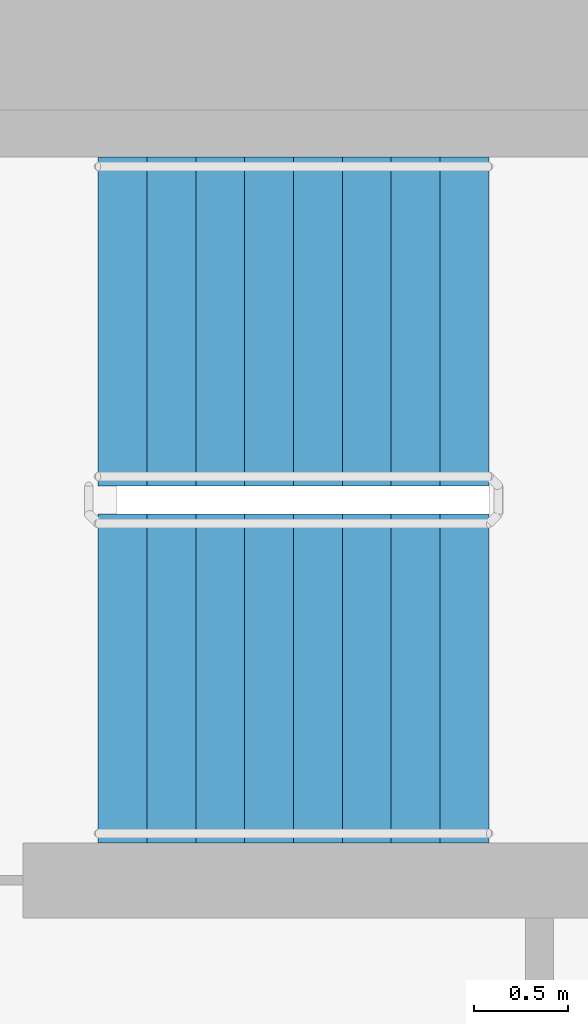
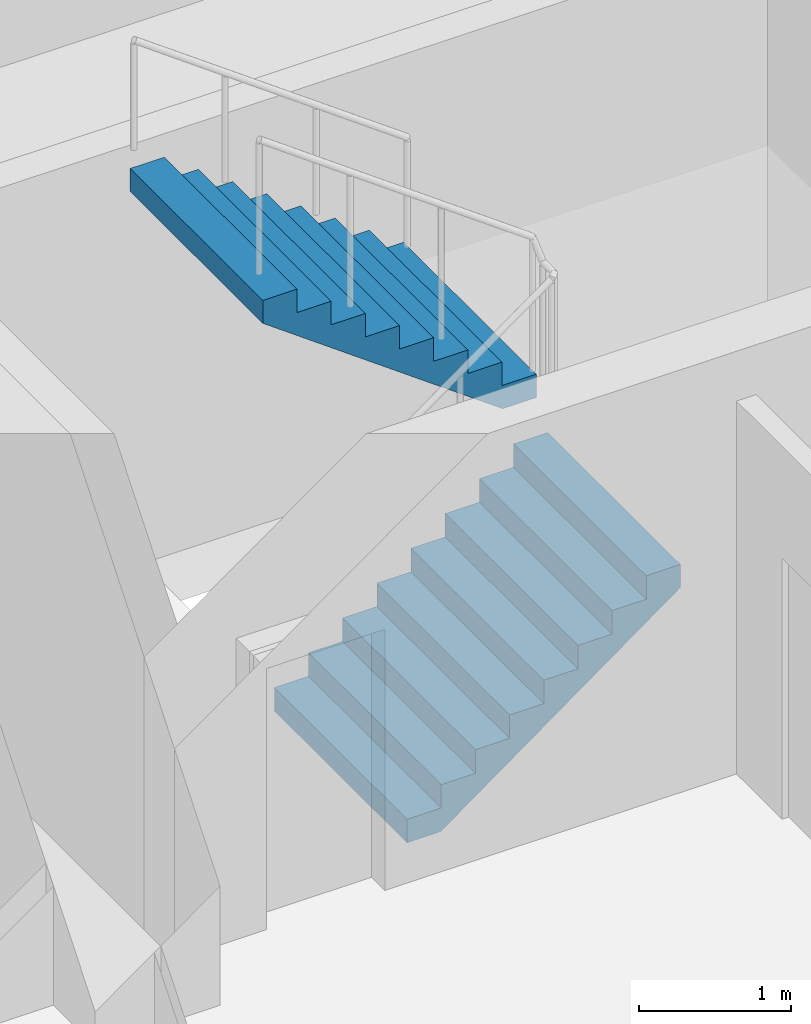
# One storey, part 15 of 20: 2 stair flights, 1 element without a shape of its own.
"""IFC4 building model written with IfcOpenShell, lengths in metres."""

from ifc_helpers import new_model, si_unit, direction, frame, origin, place, context, subcontext, project, spatial, faceted_brep, material, type_object, element, aggregate, save


model = new_model("IFC4")

# Units and contexts
model_context = context("Model", 3, precision=1e-05, world=origin(), true_north=direction((0.0, 1.0)))
body_context = subcontext(model_context, "Body", "Model", "MODEL_VIEW")
ifc_project = project(units=[si_unit("LENGTHUNIT", "METRE"), si_unit("AREAUNIT", "SQUARE_METRE"), si_unit("VOLUMEUNIT", "CUBIC_METRE"), si_unit("PLANEANGLEUNIT", "RADIAN"), si_unit("MASSUNIT", "GRAM", prefix="KILO")], contexts=[model_context])

# Site, building, storey
site_placement = place(None, origin())
site = spatial("IfcSite", under=ifc_project, at=site_placement, CompositionType="ELEMENT")
building_placement = place(site_placement, origin())
building = spatial("IfcBuilding", under=site, at=building_placement, Name="Ipe Terrace Towers", CompositionType="ELEMENT")
storey_placement = place(building_placement, frame((0.0, 0.0, 120.800048828125)))
storey = spatial("IfcBuildingStorey", under=building, at=storey_placement, Name="L33", CompositionType="ELEMENT", Elevation=120.800048828125)

# Stair, stair flights
ifc_material_1 = material(Name="Concrete C30/37", Category="concrete")
stair_type = type_object("IfcStairType", Name="Protected exit stair", PredefinedType="HALF_TURN_STAIR", material=ifc_material_1)
stair_placement = place(storey_placement, origin())
stair = element("IfcStair", 1, at=stair_placement, inside=storey, type_object=stair_type, Name="L33 Exit stair T1-C1", PredefinedType="HALF_TURN_STAIR")
ifc_material_2 = material(Name="Concrete C30/37", Category="concrete")
stair_flight_type = type_object("IfcStairFlightType", Name="Exit stair flight 1750", PredefinedType="STRAIGHT", material=ifc_material_2)
stair_flight_1_placement = place(storey_placement, frame((-26.300048828125, 2.77490234375, 0.0), z_axis=(0.0, 0.0, 1.0), x_axis=(1.0, 0.0, 0.0)))
stair_flight_1 = element("IfcStairFlight", 2, at=stair_flight_1_placement, type_object=stair_flight_type, Name="T1-ST1 flight 1", NumberOfRisers=9, NumberOfTreads=8, PredefinedType="STRAIGHT", RiserHeight=0.188888889, TreadLength=0.26, context=body_context, shape_type="Brep", body=[
    faceted_brep([(0.255126953125, -0.875, 0.0), (2.080078125, -0.875, 1.325927734375), (2.080078125, -0.875, 1.51123046875), (1.820068359375, -0.875, 1.51123046875), (1.820068359375, -0.875, 1.322265625), (1.56005859375, -0.875, 1.322265625), (1.56005859375, -0.875, 1.13330078125), (1.300048828125, -0.875, 1.13330078125), (1.300048828125, -0.875, 0.9443359375), (1.0400390625, -0.875, 0.9443359375), (1.0400390625, -0.875, 0.755615234375), (0.780029296875, -0.875, 0.755615234375), (0.780029296875, -0.875, 0.566650390625), (0.52001953125, -0.875, 0.566650390625), (0.52001953125, -0.875, 0.377685546875), (0.260009765625, -0.875, 0.377685546875), (0.260009765625, -0.875, 0.18896484375), (0.0, -0.875, 0.18896484375), (0.0, -0.875, 0.0), (0.0, 0.875, 0.0), (0.0, 0.875, 0.18896484375), (0.260009765625, 0.875, 0.18896484375), (0.260009765625, 0.875, 0.377685546875), (0.52001953125, 0.875, 0.377685546875), (0.52001953125, 0.875, 0.566650390625), (0.780029296875, 0.875, 0.566650390625), (0.780029296875, 0.875, 0.755615234375), (1.0400390625, 0.875, 0.755615234375), (1.0400390625, 0.875, 0.9443359375), (1.300048828125, 0.875, 0.9443359375), (1.300048828125, 0.875, 1.13330078125), (1.56005859375, 0.875, 1.13330078125), (1.56005859375, 0.875, 1.322265625), (1.820068359375, 0.875, 1.322265625), (1.820068359375, 0.875, 1.51123046875), (2.080078125, 0.875, 1.51123046875), (2.080078125, 0.875, 1.325927734375), (0.255126953125, 0.875, 0.0), (0.0, -0.300048828125, 0.18896484375), (0.0, -0.1201171875, 0.18896484375), (0.0, -0.06005859375, 0.18896484375), (0.0, -0.030029296875, 0.18896484375), (0.0, -0.010009765625, 0.18896484375), (0.0, 0.0, 0.18896484375), (0.0, 0.010009765625, 0.18896484375), (0.0, 0.030029296875, 0.18896484375), (0.0, 0.06005859375, 0.18896484375), (0.0, 0.1201171875, 0.18896484375), (0.0, 0.300048828125, 0.18896484375), (0.0, 0.300048828125, 0.0), (0.0, 0.1201171875, 0.0), (0.0, 0.06005859375, 0.0), (0.0, 0.030029296875, 0.0), (0.0, 0.010009765625, 0.0), (0.0, 0.0, 0.0), (0.0, -0.010009765625, 0.0), (0.0, -0.030029296875, 0.0), (0.0, -0.06005859375, 0.0), (0.0, -0.1201171875, 0.0), (0.0, -0.300048828125, 0.0), (0.260009765625, -0.300048828125, 0.18896484375), (0.260009765625, -0.1201171875, 0.18896484375), (0.260009765625, -0.06005859375, 0.18896484375), (0.260009765625, -0.030029296875, 0.18896484375), (0.260009765625, -0.010009765625, 0.18896484375), (0.260009765625, 0.0, 0.18896484375), (0.260009765625, 0.010009765625, 0.18896484375), (0.260009765625, 0.030029296875, 0.18896484375), (0.260009765625, 0.06005859375, 0.18896484375), (0.260009765625, 0.1201171875, 0.18896484375), (0.260009765625, 0.300048828125, 0.18896484375), (0.260009765625, -0.300048828125, 0.377685546875), (0.260009765625, -0.1201171875, 0.377685546875), (0.260009765625, -0.06005859375, 0.377685546875), (0.260009765625, -0.030029296875, 0.377685546875), (0.260009765625, -0.010009765625, 0.377685546875), (0.260009765625, 0.0, 0.377685546875), (0.260009765625, 0.010009765625, 0.377685546875), (0.260009765625, 0.030029296875, 0.377685546875), (0.260009765625, 0.06005859375, 0.377685546875), (0.260009765625, 0.1201171875, 0.377685546875), (0.260009765625, 0.300048828125, 0.377685546875), (0.52001953125, -0.300048828125, 0.377685546875), (0.52001953125, -0.1201171875, 0.377685546875), (0.52001953125, -0.06005859375, 0.377685546875), (0.52001953125, -0.030029296875, 0.377685546875), (0.52001953125, -0.010009765625, 0.377685546875), (0.52001953125, 0.0, 0.377685546875), (0.52001953125, 0.010009765625, 0.377685546875), (0.52001953125, 0.030029296875, 0.377685546875), (0.52001953125, 0.06005859375, 0.377685546875), (0.52001953125, 0.1201171875, 0.377685546875), (0.52001953125, 0.300048828125, 0.377685546875), (0.52001953125, -0.300048828125, 0.566650390625), (0.52001953125, -0.1201171875, 0.566650390625), (0.52001953125, -0.06005859375, 0.566650390625), (0.52001953125, -0.030029296875, 0.566650390625), (0.52001953125, -0.010009765625, 0.566650390625), (0.52001953125, 0.0, 0.566650390625), (0.52001953125, 0.010009765625, 0.566650390625), (0.52001953125, 0.030029296875, 0.566650390625), (0.52001953125, 0.06005859375, 0.566650390625), (0.52001953125, 0.1201171875, 0.566650390625), (0.52001953125, 0.300048828125, 0.566650390625), (0.780029296875, -0.300048828125, 0.566650390625), (0.780029296875, -0.1201171875, 0.566650390625), (0.780029296875, -0.06005859375, 0.566650390625), (0.780029296875, -0.030029296875, 0.566650390625), (0.780029296875, -0.010009765625, 0.566650390625), (0.780029296875, 0.0, 0.566650390625), (0.780029296875, 0.010009765625, 0.566650390625), (0.780029296875, 0.030029296875, 0.566650390625), (0.780029296875, 0.06005859375, 0.566650390625), (0.780029296875, 0.1201171875, 0.566650390625), (0.780029296875, 0.300048828125, 0.566650390625), (0.780029296875, -0.300048828125, 0.755615234375), (0.780029296875, -0.1201171875, 0.755615234375), (0.780029296875, -0.06005859375, 0.755615234375), (0.780029296875, -0.030029296875, 0.755615234375), (0.780029296875, -0.010009765625, 0.755615234375), (0.780029296875, 0.0, 0.755615234375), (0.780029296875, 0.010009765625, 0.755615234375), (0.780029296875, 0.030029296875, 0.755615234375), (0.780029296875, 0.06005859375, 0.755615234375), (0.780029296875, 0.1201171875, 0.755615234375), (0.780029296875, 0.300048828125, 0.755615234375), (1.0400390625, -0.300048828125, 0.755615234375), (1.0400390625, -0.1201171875, 0.755615234375), (1.0400390625, -0.06005859375, 0.755615234375), (1.0400390625, -0.030029296875, 0.755615234375), (1.0400390625, -0.010009765625, 0.755615234375), (1.0400390625, 0.0, 0.755615234375), (1.0400390625, 0.010009765625, 0.755615234375), (1.0400390625, 0.030029296875, 0.755615234375), (1.0400390625, 0.06005859375, 0.755615234375), (1.0400390625, 0.1201171875, 0.755615234375), (1.0400390625, 0.300048828125, 0.755615234375), (1.0400390625, -0.300048828125, 0.9443359375), (1.0400390625, -0.1201171875, 0.9443359375), (1.0400390625, -0.06005859375, 0.9443359375), (1.0400390625, -0.030029296875, 0.9443359375), (1.0400390625, -0.010009765625, 0.9443359375), (1.0400390625, 0.0, 0.9443359375), (1.0400390625, 0.010009765625, 0.9443359375), (1.0400390625, 0.030029296875, 0.9443359375), (1.0400390625, 0.06005859375, 0.9443359375), (1.0400390625, 0.1201171875, 0.9443359375), (1.0400390625, 0.300048828125, 0.9443359375), (1.300048828125, -0.300048828125, 0.9443359375), (1.300048828125, -0.1201171875, 0.9443359375), (1.300048828125, -0.06005859375, 0.9443359375), (1.300048828125, -0.030029296875, 0.9443359375), (1.300048828125, -0.010009765625, 0.9443359375), (1.300048828125, 0.0, 0.9443359375), (1.300048828125, 0.010009765625, 0.9443359375), (1.300048828125, 0.030029296875, 0.9443359375), (1.300048828125, 0.06005859375, 0.9443359375), (1.300048828125, 0.1201171875, 0.9443359375), (1.300048828125, 0.300048828125, 0.9443359375), (1.300048828125, -0.300048828125, 1.13330078125), (1.300048828125, -0.1201171875, 1.13330078125), (1.300048828125, -0.06005859375, 1.13330078125), (1.300048828125, -0.030029296875, 1.13330078125), (1.300048828125, -0.010009765625, 1.13330078125), (1.300048828125, 0.0, 1.13330078125), (1.300048828125, 0.010009765625, 1.13330078125), (1.300048828125, 0.030029296875, 1.13330078125), (1.300048828125, 0.06005859375, 1.13330078125), (1.300048828125, 0.1201171875, 1.13330078125), (1.300048828125, 0.300048828125, 1.13330078125), (1.56005859375, -0.300048828125, 1.13330078125), (1.56005859375, -0.1201171875, 1.13330078125), (1.56005859375, -0.06005859375, 1.13330078125), (1.56005859375, -0.030029296875, 1.13330078125), (1.56005859375, -0.010009765625, 1.13330078125), (1.56005859375, 0.0, 1.13330078125), (1.56005859375, 0.010009765625, 1.13330078125), (1.56005859375, 0.030029296875, 1.13330078125), (1.56005859375, 0.06005859375, 1.13330078125), (1.56005859375, 0.1201171875, 1.13330078125), (1.56005859375, 0.300048828125, 1.13330078125), (1.56005859375, -0.300048828125, 1.322265625), (1.56005859375, -0.1201171875, 1.322265625), (1.56005859375, -0.06005859375, 1.322265625), (1.56005859375, -0.030029296875, 1.322265625), (1.56005859375, -0.010009765625, 1.322265625), (1.56005859375, 0.0, 1.322265625), (1.56005859375, 0.010009765625, 1.322265625), (1.56005859375, 0.030029296875, 1.322265625), (1.56005859375, 0.06005859375, 1.322265625), (1.56005859375, 0.1201171875, 1.322265625), (1.56005859375, 0.300048828125, 1.322265625), (1.820068359375, -0.300048828125, 1.322265625), (1.820068359375, -0.1201171875, 1.322265625), (1.820068359375, -0.06005859375, 1.322265625), (1.820068359375, -0.030029296875, 1.322265625), (1.820068359375, -0.010009765625, 1.322265625), (1.820068359375, 0.0, 1.322265625), (1.820068359375, 0.010009765625, 1.322265625), (1.820068359375, 0.030029296875, 1.322265625), (1.820068359375, 0.06005859375, 1.322265625), (1.820068359375, 0.1201171875, 1.322265625), (1.820068359375, 0.300048828125, 1.322265625), (1.820068359375, -0.300048828125, 1.51123046875), (1.820068359375, -0.1201171875, 1.51123046875), (1.820068359375, -0.06005859375, 1.51123046875), (1.820068359375, -0.030029296875, 1.51123046875), (1.820068359375, -0.010009765625, 1.51123046875), (1.820068359375, 0.0, 1.51123046875), (1.820068359375, 0.010009765625, 1.51123046875), (1.820068359375, 0.030029296875, 1.51123046875), (1.820068359375, 0.06005859375, 1.51123046875), (1.820068359375, 0.1201171875, 1.51123046875), (1.820068359375, 0.300048828125, 1.51123046875), (2.080078125, -0.300048828125, 1.51123046875), (2.080078125, -0.1201171875, 1.51123046875), (2.080078125, -0.06005859375, 1.51123046875), (2.080078125, -0.030029296875, 1.51123046875), (2.080078125, -0.010009765625, 1.51123046875), (2.080078125, 0.0, 1.51123046875), (2.080078125, 0.010009765625, 1.51123046875), (2.080078125, 0.030029296875, 1.51123046875), (2.080078125, 0.06005859375, 1.51123046875), (2.080078125, 0.1201171875, 1.51123046875), (2.080078125, 0.300048828125, 1.51123046875), (2.080078125, -0.300048828125, 1.325927734375), (2.080078125, -0.1201171875, 1.325927734375), (2.080078125, -0.06005859375, 1.325927734375), (2.080078125, -0.030029296875, 1.325927734375), (2.080078125, -0.010009765625, 1.325927734375), (2.080078125, 0.0, 1.325927734375), (2.080078125, 0.010009765625, 1.325927734375), (2.080078125, 0.030029296875, 1.325927734375), (2.080078125, 0.06005859375, 1.325927734375), (2.080078125, 0.1201171875, 1.325927734375), (2.080078125, 0.300048828125, 1.325927734375), (0.255126953125, -0.300048828125, 0.0), (0.255126953125, -0.1201171875, 0.0), (0.255126953125, -0.06005859375, 0.0), (0.255126953125, -0.030029296875, 0.0), (0.255126953125, -0.010009765625, 0.0), (0.255126953125, 0.0, 0.0), (0.255126953125, 0.010009765625, 0.0), (0.255126953125, 0.030029296875, 0.0), (0.255126953125, 0.06005859375, 0.0), (0.255126953125, 0.1201171875, 0.0), (0.255126953125, 0.300048828125, 0.0)], [[[0, 1, 2, 3, 4, 5, 6, 7, 8, 9, 10, 11, 12, 13, 14, 15, 16, 17, 18]], [[19, 20, 21, 22, 23, 24, 25, 26, 27, 28, 29, 30, 31, 32, 33, 34, 35, 36, 37]], [[17, 38, 39, 40, 41, 42, 43, 44, 45, 46, 47, 48, 20, 19, 49, 50, 51, 52, 53, 54, 55, 56, 57, 58, 59, 18]], [[16, 60, 61, 62, 63, 64, 65, 66, 67, 68, 69, 70, 21, 20, 48, 47, 46, 45, 44, 43, 42, 41, 40, 39, 38, 17]], [[15, 71, 72, 73, 74, 75, 76, 77, 78, 79, 80, 81, 22, 21, 70, 69, 68, 67, 66, 65, 64, 63, 62, 61, 60, 16]], [[14, 82, 83, 84, 85, 86, 87, 88, 89, 90, 91, 92, 23, 22, 81, 80, 79, 78, 77, 76, 75, 74, 73, 72, 71, 15]], [[13, 93, 94, 95, 96, 97, 98, 99, 100, 101, 102, 103, 24, 23, 92, 91, 90, 89, 88, 87, 86, 85, 84, 83, 82, 14]], [[12, 104, 105, 106, 107, 108, 109, 110, 111, 112, 113, 114, 25, 24, 103, 102, 101, 100, 99, 98, 97, 96, 95, 94, 93, 13]], [[11, 115, 116, 117, 118, 119, 120, 121, 122, 123, 124, 125, 26, 25, 114, 113, 112, 111, 110, 109, 108, 107, 106, 105, 104, 12]], [[10, 126, 127, 128, 129, 130, 131, 132, 133, 134, 135, 136, 27, 26, 125, 124, 123, 122, 121, 120, 119, 118, 117, 116, 115, 11]], [[9, 137, 138, 139, 140, 141, 142, 143, 144, 145, 146, 147, 28, 27, 136, 135, 134, 133, 132, 131, 130, 129, 128, 127, 126, 10]], [[8, 148, 149, 150, 151, 152, 153, 154, 155, 156, 157, 158, 29, 28, 147, 146, 145, 144, 143, 142, 141, 140, 139, 138, 137, 9]], [[7, 159, 160, 161, 162, 163, 164, 165, 166, 167, 168, 169, 30, 29, 158, 157, 156, 155, 154, 153, 152, 151, 150, 149, 148, 8]], [[6, 170, 171, 172, 173, 174, 175, 176, 177, 178, 179, 180, 31, 30, 169, 168, 167, 166, 165, 164, 163, 162, 161, 160, 159, 7]], [[5, 181, 182, 183, 184, 185, 186, 187, 188, 189, 190, 191, 32, 31, 180, 179, 178, 177, 176, 175, 174, 173, 172, 171, 170, 6]], [[4, 192, 193, 194, 195, 196, 197, 198, 199, 200, 201, 202, 33, 32, 191, 190, 189, 188, 187, 186, 185, 184, 183, 182, 181, 5]], [[3, 203, 204, 205, 206, 207, 208, 209, 210, 211, 212, 213, 34, 33, 202, 201, 200, 199, 198, 197, 196, 195, 194, 193, 192, 4]], [[2, 214, 215, 216, 217, 218, 219, 220, 221, 222, 223, 224, 35, 34, 213, 212, 211, 210, 209, 208, 207, 206, 205, 204, 203, 3]], [[1, 225, 226, 227, 228, 229, 230, 231, 232, 233, 234, 235, 36, 35, 224, 223, 222, 221, 220, 219, 218, 217, 216, 215, 214, 2]], [[0, 236, 237, 238, 239, 240, 241, 242, 243, 244, 245, 246, 37, 36, 235, 234, 233, 232, 231, 230, 229, 228, 227, 226, 225, 1]], [[18, 59, 58, 57, 56, 55, 54, 53, 52, 51, 50, 49, 19, 37, 246, 245, 244, 243, 242, 241, 240, 239, 238, 237, 236, 0]]]),
])
stair_flight_2_placement = place(storey_placement, frame((-24.219970703125, 4.675048828125, 1.699951171875), z_axis=(0.0, 0.0, 1.0), x_axis=(-1.0, 0.0, 0.0)))
stair_flight_2 = element("IfcStairFlight", 3, at=stair_flight_2_placement, type_object=stair_flight_type, Name="T1-ST1 flight 2", NumberOfRisers=9, NumberOfTreads=8, PredefinedType="STRAIGHT", RiserHeight=0.188888889, TreadLength=0.26, context=body_context, shape_type="Brep", body=[
    faceted_brep([(0.255126953125, -0.875, 0.0), (2.080078125, -0.875, 1.325927734375), (2.080078125, -0.875, 1.51123046875), (1.820068359375, -0.875, 1.51123046875), (1.820068359375, -0.875, 1.322265625), (1.56005859375, -0.875, 1.322265625), (1.56005859375, -0.875, 1.13330078125), (1.300048828125, -0.875, 1.13330078125), (1.300048828125, -0.875, 0.9443359375), (1.0400390625, -0.875, 0.9443359375), (1.0400390625, -0.875, 0.755615234375), (0.780029296875, -0.875, 0.755615234375), (0.780029296875, -0.875, 0.566650390625), (0.52001953125, -0.875, 0.566650390625), (0.52001953125, -0.875, 0.377685546875), (0.260009765625, -0.875, 0.377685546875), (0.260009765625, -0.875, 0.18896484375), (0.0, -0.875, 0.18896484375), (0.0, -0.875, 0.0), (0.0, 0.875, 0.0), (0.0, 0.875, 0.18896484375), (0.260009765625, 0.875, 0.18896484375), (0.260009765625, 0.875, 0.377685546875), (0.52001953125, 0.875, 0.377685546875), (0.52001953125, 0.875, 0.566650390625), (0.780029296875, 0.875, 0.566650390625), (0.780029296875, 0.875, 0.755615234375), (1.0400390625, 0.875, 0.755615234375), (1.0400390625, 0.875, 0.9443359375), (1.300048828125, 0.875, 0.9443359375), (1.300048828125, 0.875, 1.13330078125), (1.56005859375, 0.875, 1.13330078125), (1.56005859375, 0.875, 1.322265625), (1.820068359375, 0.875, 1.322265625), (1.820068359375, 0.875, 1.51123046875), (2.080078125, 0.875, 1.51123046875), (2.080078125, 0.875, 1.325927734375), (0.255126953125, 0.875, 0.0), (0.0, -0.300048828125, 0.18896484375), (0.0, -0.1201171875, 0.18896484375), (0.0, -0.06005859375, 0.18896484375), (0.0, -0.030029296875, 0.18896484375), (0.0, -0.010009765625, 0.18896484375), (0.0, 0.0, 0.18896484375), (0.0, 0.010009765625, 0.18896484375), (0.0, 0.030029296875, 0.18896484375), (0.0, 0.06005859375, 0.18896484375), (0.0, 0.1201171875, 0.18896484375), (0.0, 0.300048828125, 0.18896484375), (0.0, 0.300048828125, 0.0), (0.0, 0.1201171875, 0.0), (0.0, 0.06005859375, 0.0), (0.0, 0.030029296875, 0.0), (0.0, 0.010009765625, 0.0), (0.0, 0.0, 0.0), (0.0, -0.010009765625, 0.0), (0.0, -0.030029296875, 0.0), (0.0, -0.06005859375, 0.0), (0.0, -0.1201171875, 0.0), (0.0, -0.300048828125, 0.0), (0.260009765625, -0.300048828125, 0.18896484375), (0.260009765625, -0.1201171875, 0.18896484375), (0.260009765625, -0.06005859375, 0.18896484375), (0.260009765625, -0.030029296875, 0.18896484375), (0.260009765625, -0.010009765625, 0.18896484375), (0.260009765625, 0.0, 0.18896484375), (0.260009765625, 0.010009765625, 0.18896484375), (0.260009765625, 0.030029296875, 0.18896484375), (0.260009765625, 0.06005859375, 0.18896484375), (0.260009765625, 0.1201171875, 0.18896484375), (0.260009765625, 0.300048828125, 0.18896484375), (0.260009765625, -0.300048828125, 0.377685546875), (0.260009765625, -0.1201171875, 0.377685546875), (0.260009765625, -0.06005859375, 0.377685546875), (0.260009765625, -0.030029296875, 0.377685546875), (0.260009765625, -0.010009765625, 0.377685546875), (0.260009765625, 0.0, 0.377685546875), (0.260009765625, 0.010009765625, 0.377685546875), (0.260009765625, 0.030029296875, 0.377685546875), (0.260009765625, 0.06005859375, 0.377685546875), (0.260009765625, 0.1201171875, 0.377685546875), (0.260009765625, 0.300048828125, 0.377685546875), (0.52001953125, -0.300048828125, 0.377685546875), (0.52001953125, -0.1201171875, 0.377685546875), (0.52001953125, -0.06005859375, 0.377685546875), (0.52001953125, -0.030029296875, 0.377685546875), (0.52001953125, -0.010009765625, 0.377685546875), (0.52001953125, 0.0, 0.377685546875), (0.52001953125, 0.010009765625, 0.377685546875), (0.52001953125, 0.030029296875, 0.377685546875), (0.52001953125, 0.06005859375, 0.377685546875), (0.52001953125, 0.1201171875, 0.377685546875), (0.52001953125, 0.300048828125, 0.377685546875), (0.52001953125, -0.300048828125, 0.566650390625), (0.52001953125, -0.1201171875, 0.566650390625), (0.52001953125, -0.06005859375, 0.566650390625), (0.52001953125, -0.030029296875, 0.566650390625), (0.52001953125, -0.010009765625, 0.566650390625), (0.52001953125, 0.0, 0.566650390625), (0.52001953125, 0.010009765625, 0.566650390625), (0.52001953125, 0.030029296875, 0.566650390625), (0.52001953125, 0.06005859375, 0.566650390625), (0.52001953125, 0.1201171875, 0.566650390625), (0.52001953125, 0.300048828125, 0.566650390625), (0.780029296875, -0.300048828125, 0.566650390625), (0.780029296875, -0.1201171875, 0.566650390625), (0.780029296875, -0.06005859375, 0.566650390625), (0.780029296875, -0.030029296875, 0.566650390625), (0.780029296875, -0.010009765625, 0.566650390625), (0.780029296875, 0.0, 0.566650390625), (0.780029296875, 0.010009765625, 0.566650390625), (0.780029296875, 0.030029296875, 0.566650390625), (0.780029296875, 0.06005859375, 0.566650390625), (0.780029296875, 0.1201171875, 0.566650390625), (0.780029296875, 0.300048828125, 0.566650390625), (0.780029296875, -0.300048828125, 0.755615234375), (0.780029296875, -0.1201171875, 0.755615234375), (0.780029296875, -0.06005859375, 0.755615234375), (0.780029296875, -0.030029296875, 0.755615234375), (0.780029296875, -0.010009765625, 0.755615234375), (0.780029296875, 0.0, 0.755615234375), (0.780029296875, 0.010009765625, 0.755615234375), (0.780029296875, 0.030029296875, 0.755615234375), (0.780029296875, 0.06005859375, 0.755615234375), (0.780029296875, 0.1201171875, 0.755615234375), (0.780029296875, 0.300048828125, 0.755615234375), (1.0400390625, -0.300048828125, 0.755615234375), (1.0400390625, -0.1201171875, 0.755615234375), (1.0400390625, -0.06005859375, 0.755615234375), (1.0400390625, -0.030029296875, 0.755615234375), (1.0400390625, -0.010009765625, 0.755615234375), (1.0400390625, 0.0, 0.755615234375), (1.0400390625, 0.010009765625, 0.755615234375), (1.0400390625, 0.030029296875, 0.755615234375), (1.0400390625, 0.06005859375, 0.755615234375), (1.0400390625, 0.1201171875, 0.755615234375), (1.0400390625, 0.300048828125, 0.755615234375), (1.0400390625, -0.300048828125, 0.9443359375), (1.0400390625, -0.1201171875, 0.9443359375), (1.0400390625, -0.06005859375, 0.9443359375), (1.0400390625, -0.030029296875, 0.9443359375), (1.0400390625, -0.010009765625, 0.9443359375), (1.0400390625, 0.0, 0.9443359375), (1.0400390625, 0.010009765625, 0.9443359375), (1.0400390625, 0.030029296875, 0.9443359375), (1.0400390625, 0.06005859375, 0.9443359375), (1.0400390625, 0.1201171875, 0.9443359375), (1.0400390625, 0.300048828125, 0.9443359375), (1.300048828125, -0.300048828125, 0.9443359375), (1.300048828125, -0.1201171875, 0.9443359375), (1.300048828125, -0.06005859375, 0.9443359375), (1.300048828125, -0.030029296875, 0.9443359375), (1.300048828125, -0.010009765625, 0.9443359375), (1.300048828125, 0.0, 0.9443359375), (1.300048828125, 0.010009765625, 0.9443359375), (1.300048828125, 0.030029296875, 0.9443359375), (1.300048828125, 0.06005859375, 0.9443359375), (1.300048828125, 0.1201171875, 0.9443359375), (1.300048828125, 0.300048828125, 0.9443359375), (1.300048828125, -0.300048828125, 1.13330078125), (1.300048828125, -0.1201171875, 1.13330078125), (1.300048828125, -0.06005859375, 1.13330078125), (1.300048828125, -0.030029296875, 1.13330078125), (1.300048828125, -0.010009765625, 1.13330078125), (1.300048828125, 0.0, 1.13330078125), (1.300048828125, 0.010009765625, 1.13330078125), (1.300048828125, 0.030029296875, 1.13330078125), (1.300048828125, 0.06005859375, 1.13330078125), (1.300048828125, 0.1201171875, 1.13330078125), (1.300048828125, 0.300048828125, 1.13330078125), (1.56005859375, -0.300048828125, 1.13330078125), (1.56005859375, -0.1201171875, 1.13330078125), (1.56005859375, -0.06005859375, 1.13330078125), (1.56005859375, -0.030029296875, 1.13330078125), (1.56005859375, -0.010009765625, 1.13330078125), (1.56005859375, 0.0, 1.13330078125), (1.56005859375, 0.010009765625, 1.13330078125), (1.56005859375, 0.030029296875, 1.13330078125), (1.56005859375, 0.06005859375, 1.13330078125), (1.56005859375, 0.1201171875, 1.13330078125), (1.56005859375, 0.300048828125, 1.13330078125), (1.56005859375, -0.300048828125, 1.322265625), (1.56005859375, -0.1201171875, 1.322265625), (1.56005859375, -0.06005859375, 1.322265625), (1.56005859375, -0.030029296875, 1.322265625), (1.56005859375, -0.010009765625, 1.322265625), (1.56005859375, 0.0, 1.322265625), (1.56005859375, 0.010009765625, 1.322265625), (1.56005859375, 0.030029296875, 1.322265625), (1.56005859375, 0.06005859375, 1.322265625), (1.56005859375, 0.1201171875, 1.322265625), (1.56005859375, 0.300048828125, 1.322265625), (1.820068359375, -0.300048828125, 1.322265625), (1.820068359375, -0.1201171875, 1.322265625), (1.820068359375, -0.06005859375, 1.322265625), (1.820068359375, -0.030029296875, 1.322265625), (1.820068359375, -0.010009765625, 1.322265625), (1.820068359375, 0.0, 1.322265625), (1.820068359375, 0.010009765625, 1.322265625), (1.820068359375, 0.030029296875, 1.322265625), (1.820068359375, 0.06005859375, 1.322265625), (1.820068359375, 0.1201171875, 1.322265625), (1.820068359375, 0.300048828125, 1.322265625), (1.820068359375, -0.300048828125, 1.51123046875), (1.820068359375, -0.1201171875, 1.51123046875), (1.820068359375, -0.06005859375, 1.51123046875), (1.820068359375, -0.030029296875, 1.51123046875), (1.820068359375, -0.010009765625, 1.51123046875), (1.820068359375, 0.0, 1.51123046875), (1.820068359375, 0.010009765625, 1.51123046875), (1.820068359375, 0.030029296875, 1.51123046875), (1.820068359375, 0.06005859375, 1.51123046875), (1.820068359375, 0.1201171875, 1.51123046875), (1.820068359375, 0.300048828125, 1.51123046875), (2.080078125, -0.300048828125, 1.51123046875), (2.080078125, -0.1201171875, 1.51123046875), (2.080078125, -0.06005859375, 1.51123046875), (2.080078125, -0.030029296875, 1.51123046875), (2.080078125, -0.010009765625, 1.51123046875), (2.080078125, 0.0, 1.51123046875), (2.080078125, 0.010009765625, 1.51123046875), (2.080078125, 0.030029296875, 1.51123046875), (2.080078125, 0.06005859375, 1.51123046875), (2.080078125, 0.1201171875, 1.51123046875), (2.080078125, 0.300048828125, 1.51123046875), (2.080078125, -0.300048828125, 1.325927734375), (2.080078125, -0.1201171875, 1.325927734375), (2.080078125, -0.06005859375, 1.325927734375), (2.080078125, -0.030029296875, 1.325927734375), (2.080078125, -0.010009765625, 1.325927734375), (2.080078125, 0.0, 1.325927734375), (2.080078125, 0.010009765625, 1.325927734375), (2.080078125, 0.030029296875, 1.325927734375), (2.080078125, 0.06005859375, 1.325927734375), (2.080078125, 0.1201171875, 1.325927734375), (2.080078125, 0.300048828125, 1.325927734375), (0.255126953125, -0.300048828125, 0.0), (0.255126953125, -0.1201171875, 0.0), (0.255126953125, -0.06005859375, 0.0), (0.255126953125, -0.030029296875, 0.0), (0.255126953125, -0.010009765625, 0.0), (0.255126953125, 0.0, 0.0), (0.255126953125, 0.010009765625, 0.0), (0.255126953125, 0.030029296875, 0.0), (0.255126953125, 0.06005859375, 0.0), (0.255126953125, 0.1201171875, 0.0), (0.255126953125, 0.300048828125, 0.0)], [[[0, 1, 2, 3, 4, 5, 6, 7, 8, 9, 10, 11, 12, 13, 14, 15, 16, 17, 18]], [[19, 20, 21, 22, 23, 24, 25, 26, 27, 28, 29, 30, 31, 32, 33, 34, 35, 36, 37]], [[17, 38, 39, 40, 41, 42, 43, 44, 45, 46, 47, 48, 20, 19, 49, 50, 51, 52, 53, 54, 55, 56, 57, 58, 59, 18]], [[16, 60, 61, 62, 63, 64, 65, 66, 67, 68, 69, 70, 21, 20, 48, 47, 46, 45, 44, 43, 42, 41, 40, 39, 38, 17]], [[15, 71, 72, 73, 74, 75, 76, 77, 78, 79, 80, 81, 22, 21, 70, 69, 68, 67, 66, 65, 64, 63, 62, 61, 60, 16]], [[14, 82, 83, 84, 85, 86, 87, 88, 89, 90, 91, 92, 23, 22, 81, 80, 79, 78, 77, 76, 75, 74, 73, 72, 71, 15]], [[13, 93, 94, 95, 96, 97, 98, 99, 100, 101, 102, 103, 24, 23, 92, 91, 90, 89, 88, 87, 86, 85, 84, 83, 82, 14]], [[12, 104, 105, 106, 107, 108, 109, 110, 111, 112, 113, 114, 25, 24, 103, 102, 101, 100, 99, 98, 97, 96, 95, 94, 93, 13]], [[11, 115, 116, 117, 118, 119, 120, 121, 122, 123, 124, 125, 26, 25, 114, 113, 112, 111, 110, 109, 108, 107, 106, 105, 104, 12]], [[10, 126, 127, 128, 129, 130, 131, 132, 133, 134, 135, 136, 27, 26, 125, 124, 123, 122, 121, 120, 119, 118, 117, 116, 115, 11]], [[9, 137, 138, 139, 140, 141, 142, 143, 144, 145, 146, 147, 28, 27, 136, 135, 134, 133, 132, 131, 130, 129, 128, 127, 126, 10]], [[8, 148, 149, 150, 151, 152, 153, 154, 155, 156, 157, 158, 29, 28, 147, 146, 145, 144, 143, 142, 141, 140, 139, 138, 137, 9]], [[7, 159, 160, 161, 162, 163, 164, 165, 166, 167, 168, 169, 30, 29, 158, 157, 156, 155, 154, 153, 152, 151, 150, 149, 148, 8]], [[6, 170, 171, 172, 173, 174, 175, 176, 177, 178, 179, 180, 31, 30, 169, 168, 167, 166, 165, 164, 163, 162, 161, 160, 159, 7]], [[5, 181, 182, 183, 184, 185, 186, 187, 188, 189, 190, 191, 32, 31, 180, 179, 178, 177, 176, 175, 174, 173, 172, 171, 170, 6]], [[4, 192, 193, 194, 195, 196, 197, 198, 199, 200, 201, 202, 33, 32, 191, 190, 189, 188, 187, 186, 185, 184, 183, 182, 181, 5]], [[3, 203, 204, 205, 206, 207, 208, 209, 210, 211, 212, 213, 34, 33, 202, 201, 200, 199, 198, 197, 196, 195, 194, 193, 192, 4]], [[2, 214, 215, 216, 217, 218, 219, 220, 221, 222, 223, 224, 35, 34, 213, 212, 211, 210, 209, 208, 207, 206, 205, 204, 203, 3]], [[1, 225, 226, 227, 228, 229, 230, 231, 232, 233, 234, 235, 36, 35, 224, 223, 222, 221, 220, 219, 218, 217, 216, 215, 214, 2]], [[0, 236, 237, 238, 239, 240, 241, 242, 243, 244, 245, 246, 37, 36, 235, 234, 233, 232, 231, 230, 229, 228, 227, 226, 225, 1]], [[18, 59, 58, 57, 56, 55, 54, 53, 52, 51, 50, 49, 19, 37, 246, 245, 244, 243, 242, 241, 240, 239, 238, 237, 236, 0]]]),
])
aggregate(stair, [stair_flight_1, stair_flight_2])

save(model, "model.ifc")
